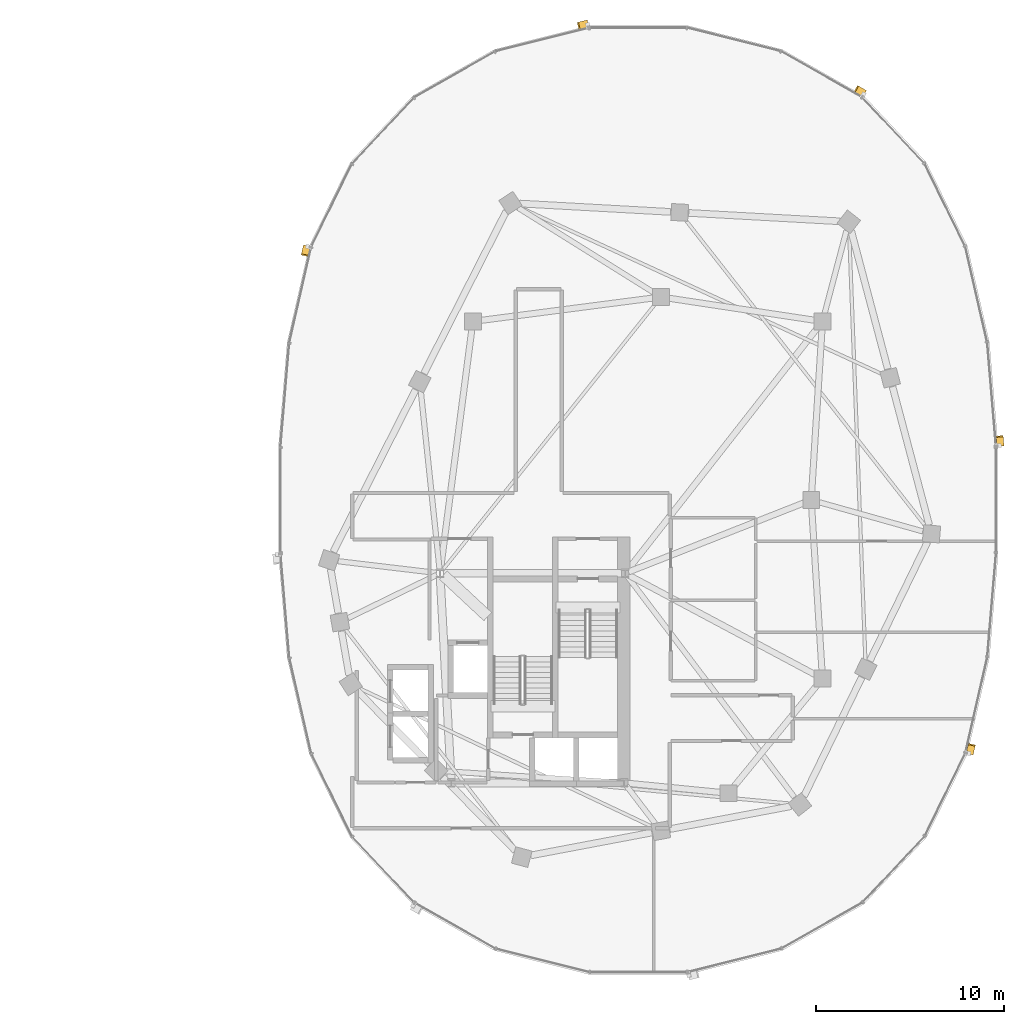
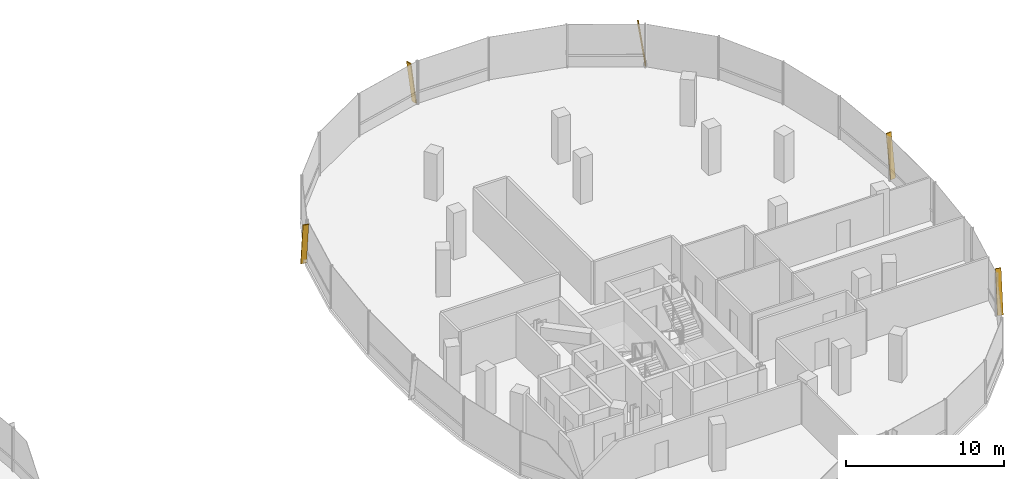
# One storey, part 25 of 25: 5 shading devices.
"""IFC4 building model written with IfcOpenShell, lengths in metres."""

import ifcopenshell
import ifcopenshell.guid

model = None  # the IFC model being written
_history = None  # IfcOwnerHistory: only IFC2X3 demands one
_inside = {}  # id of a spatial element -> (the spatial element, [elements in it])
_under = {}  # id of a project, library or spatial element -> (it, [spatial elements below it])
_declared = {}  # id of a project -> (the project, [libraries it declares])
_typed = {}  # id of a type object -> (the type object, [elements of that type])
_made_of = {}  # id of a material, layer set ... -> (it, [elements and type objects made of it])


def new_model(schema):
    """Start an empty IFC model of exactly this schema.

    Asked for "IFC4X3", IfcOpenShell would pick the latest addendum, in which some entities
    have other attributes; the version numbers below select the first issue.
    IFC2X3 requires an IfcOwnerHistory on every rooted entity: one is made here for all.
    """
    global model, _history
    if schema == "IFC4X3":
        model = ifcopenshell.file(schema_version=(4, 3, 0, 0))
    else:
        model = ifcopenshell.file(schema=schema)
    _inside.clear()
    _under.clear()
    _declared.clear()
    _typed.clear()
    _made_of.clear()
    _history = None
    if model.schema == "IFC2X3":
        org = make("IfcOrganization", Name="unknown")
        user = make(
            "IfcPersonAndOrganization",
            ThePerson=make("IfcPerson", FamilyName="unknown"),
            TheOrganization=org,
        )
        app = make(
            "IfcApplication",
            ApplicationDeveloper=org,
            Version="unknown",
            ApplicationFullName="unknown",
            ApplicationIdentifier="unknown",
        )
        _history = make(
            "IfcOwnerHistory",
            OwningUser=user,
            OwningApplication=app,
            ChangeAction="ADDED",
            CreationDate=0,
        )
    return model


def make(cls, **values):
    """One entity of the class cls with the attributes given. An attribute that is None is left unset."""
    return model.create_entity(
        cls, **{name: value for name, value in values.items() if value is not None}
    )


def rooted(cls, **values):
    """An entity with a GlobalId (a new one), such as an element, a storey or a relation."""
    return make(cls, GlobalId=ifcopenshell.guid.new(), OwnerHistory=_history, **values)


def si_unit(unit_type, name, prefix=None):
    """IfcSIUnit, for example si_unit("LENGTHUNIT", "METRE", prefix="MILLI")."""
    return make("IfcSIUnit", UnitType=unit_type, Prefix=prefix, Name=name)


def assignment(units):
    """IfcUnitAssignment: the units of a project."""
    return None if units is None else make("IfcUnitAssignment", Units=units)


def point(xyz):
    """IfcCartesianPoint."""
    return None if xyz is None else make("IfcCartesianPoint", Coordinates=xyz)


def direction(xyz):
    """IfcDirection."""
    return None if xyz is None else make("IfcDirection", DirectionRatios=xyz)


def frame(location, z_axis=None, x_axis=None):
    """IfcAxis2Placement3D, a coordinate frame: its origin and axes. An axis left out is left unset."""
    return make(
        "IfcAxis2Placement3D",
        Location=point(location),
        Axis=direction(z_axis),
        RefDirection=direction(x_axis),
    )


def frame_2d(location, x_axis=None):
    """IfcAxis2Placement2D, a coordinate frame in the plane: its origin and x axis."""
    return make(
        "IfcAxis2Placement2D", Location=point(location), RefDirection=direction(x_axis)
    )


def origin():
    """The frame at (0, 0, 0) with its axes left unset."""
    return frame((0.0, 0.0, 0.0))


def origin_2d():
    """The frame at (0, 0) in the plane with its x axis left unset."""
    return frame_2d((0.0, 0.0))


def place(relative_to, where):
    """IfcLocalPlacement: puts the frame where relative to a parent placement (None: the world)."""
    return make(
        "IfcLocalPlacement", PlacementRelTo=relative_to, RelativePlacement=where
    )


def context(
    kind, dimensions, precision=None, world=None, true_north=None, identifier=None
):
    """IfcGeometricRepresentationContext, for example the 3D "Model" context."""
    return make(
        "IfcGeometricRepresentationContext",
        ContextIdentifier=identifier,
        ContextType=kind,
        CoordinateSpaceDimension=dimensions,
        Precision=precision,
        WorldCoordinateSystem=world,
        TrueNorth=true_north,
    )


def subcontext(parent, identifier, kind, view, scale=None):
    """IfcGeometricRepresentationSubContext, for example "Body" below "Model"."""
    return make(
        "IfcGeometricRepresentationSubContext",
        ContextIdentifier=identifier,
        ContextType=kind,
        ParentContext=parent,
        TargetScale=scale,
        TargetView=view,
    )


def project(units=None, contexts=None):
    """IfcProject with its units and contexts."""
    return rooted(
        "IfcProject",
        Name="project",
        RepresentationContexts=contexts,
        UnitsInContext=assignment(units),
    )


def spatial(cls, under=None, at=None, **own):
    """A site, building, storey or space (cls), placed at a placement, below another one or the project."""
    s = rooted(cls, ObjectPlacement=at, **own)
    if under is not None:
        _under.setdefault(under.id(), (under, []))[1].append(s)
    return s


def profile(cls, at=None, kind="AREA", **sizes):
    """A parametric profile (cls). Its sizes go by their IFC names, for example OverallWidth=200.0."""
    return make(cls, ProfileType=kind, Position=at, **sizes)


def rectangle(**sizes):
    """IfcRectangleProfileDef."""
    return profile("IfcRectangleProfileDef", **sizes)


def extrude(swept, where, along, depth):
    """IfcExtrudedAreaSolid: the profile swept, set in the frame where, extruded along a direction by depth."""
    return make(
        "IfcExtrudedAreaSolid",
        SweptArea=swept,
        Position=where,
        ExtrudedDirection=direction(along),
        Depth=depth,
    )


def shape(context_of_items, identifier, shape_type, items):
    """IfcShapeRepresentation: the items that make up one representation, for example the "Body"."""
    return make(
        "IfcShapeRepresentation",
        ContextOfItems=context_of_items,
        RepresentationIdentifier=identifier,
        RepresentationType=shape_type,
        Items=items,
    )


def material(Name=None, Category=None):
    """IfcMaterial."""
    return make("IfcMaterial", Name=Name, Category=Category)


def material_profile(
    of_material, cross_section, Name=None, Category=None, Priority=None
):
    """IfcMaterialProfile: a cross section and its material."""
    return make(
        "IfcMaterialProfile",
        Name=Name,
        Material=of_material,
        Profile=cross_section,
        Priority=Priority,
        Category=Category,
    )


def profile_set(profiles, Name=None, composite=None):
    """IfcMaterialProfileSet."""
    return make(
        "IfcMaterialProfileSet",
        Name=Name,
        MaterialProfiles=profiles,
        CompositeProfile=composite,
    )


def made_of(thing, what):
    """Note that an element or type object is made of a material, layer set ...; save() writes the relation."""
    if what is not None:
        _made_of.setdefault(what.id(), (what, []))[1].append(thing)
    return thing


def type_object(cls, material=None, **own):
    """A type object (cls), such as IfcWallType, which elements share."""
    return made_of(rooted(cls, **own), material)


def element(
    cls,
    number,
    at=None,
    inside=None,
    cuts=None,
    type_object=None,
    material=None,
    context=None,
    identifier="Body",
    shape_type=None,
    held_by="IfcProductDefinitionShape",
    body=None,
    shapes=None,
    **own,
):
    """One element of the class cls, such as IfcWall. Its Tag is "e" and its number.

    at: its placement. inside: the storey or other place that contains it. cuts: it is an
    opening in that element (IfcRelVoidsElement). A single representation is given by context,
    identifier, shape_type and body (its items); several are given by shapes. held_by: the class
    of the entity that holds the representations. save() writes the other relations.
    """
    e = rooted(cls, Tag="e%d" % number, ObjectPlacement=at, **own)
    if body is not None:
        shapes = [shape(context, identifier, shape_type, body)]
    if shapes is not None:
        e.Representation = make(held_by, Representations=shapes)
    if inside is not None:
        _inside.setdefault(inside.id(), (inside, []))[1].append(e)
    if cuts is not None:
        rooted(
            "IfcRelVoidsElement", RelatingBuildingElement=cuts, RelatedOpeningElement=e
        )
    if type_object is not None:
        _typed.setdefault(type_object.id(), (type_object, []))[1].append(e)
    return made_of(e, material)


def aggregate(whole, parts):
    """IfcRelAggregates: a whole, such as a stair, and the parts it consists of."""
    return rooted("IfcRelAggregates", RelatingObject=whole, RelatedObjects=parts)


def save(model, path):
    """Write the relations noted so far, then the file.

    IfcRelAggregates (storeys below a building ...), IfcRelContainedInSpatialStructure (elements
    in a storey), IfcRelDefinesByType, IfcRelAssociatesMaterial and IfcRelDeclares: one each for
    every whole, place, type object, material and project.
    """
    for whole, parts in _under.values():
        aggregate(whole, parts)
    for where, things in _inside.values():
        rooted(
            "IfcRelContainedInSpatialStructure",
            RelatedElements=things,
            RelatingStructure=where,
        )
    for kind, things in _typed.values():
        rooted("IfcRelDefinesByType", RelatedObjects=things, RelatingType=kind)
    for what, things in _made_of.values():
        rooted("IfcRelAssociatesMaterial", RelatedObjects=things, RelatingMaterial=what)
    for by, libraries in _declared.values():
        rooted("IfcRelDeclares", RelatingContext=by, RelatedDefinitions=libraries)
    model.write(path)


model = new_model("IFC4")

# Units and contexts
model_context = context("Model", 3, precision=1e-05, world=origin(), true_north=direction((0.0, 1.0)))
body_context = subcontext(model_context, "Body", "Model", "MODEL_VIEW")
ifc_project = project(units=[si_unit("LENGTHUNIT", "METRE"), si_unit("AREAUNIT", "SQUARE_METRE"), si_unit("VOLUMEUNIT", "CUBIC_METRE"), si_unit("PLANEANGLEUNIT", "RADIAN"), si_unit("MASSUNIT", "GRAM", prefix="KILO"), si_unit("THERMODYNAMICTEMPERATUREUNIT", "KELVIN"), si_unit("POWERUNIT", "WATT")], contexts=[model_context])

# Site, building, storey
site_placement = place(None, origin())
site = spatial("IfcSite", under=ifc_project, at=site_placement, CompositionType="ELEMENT")
building_placement = place(site_placement, origin())
building = spatial("IfcBuilding", under=site, at=building_placement, Name="Cundina Bronze Exchange", CompositionType="ELEMENT")
storey_placement = place(building_placement, frame((0.0, 0.0, 191.800048828125)))
storey = spatial("IfcBuildingStorey", under=building, at=storey_placement, Name="L50", CompositionType="ELEMENT", Elevation=191.800048828125)

# Shading devices
ifc_material = material(Name="Anodised Bronze Aluminium 6063-T6", Category="aluminium")
ifc_material_profile = material_profile(ifc_material, rectangle(XDim=0.070068359375, YDim=0.3798828125, at=origin_2d()), Name="FIN70X380", Category="aluminium")
ifc_profile_set = profile_set([ifc_material_profile], Name="Anodised Bronze Aluminium 6063-T6")
shading_device_type = type_object("IfcShadingDeviceType", Name="SHD-FIN-BRZ380", PredefinedType="USERDEFINED", material=ifc_profile_set)
for number, where, z_axis, x_axis, name in (
    (1, (51.264404296875, 2.90283203125, 0.02001953125), (-0.012006555776, 0.143419772964, 0.98958911238), (0.082555834947, -0.986139516224, 0.143921466983), "L50 Diagonal Bronze Solar Fin 1"),
    (2, (44.015625, 21.635498046875, 0.02001953125), (-0.125189514072, 0.071087145125, 0.989582843103), (0.860526986551, -0.488638423358, 0.143964567292), "L50 Diagonal Bronze Solar Fin 5"),
    (3, (29.294189453125, 25.344482421875, 0.02001953125), (-0.139611891367, -0.03514090606, 0.989582556693), (0.959650042543, 0.24154799183, 0.143966536007), "L50 Diagonal Bronze Solar Fin 1"),
    (4, (14.363037109375, 13.4931640625, 0.02001953125), (-0.032139238682, -0.140343782583, 0.989581068951), (0.220899412839, 0.964610875656, 0.14397676192), "L50 Diagonal Bronze Solar Fin 5"),
    (5, (49.636962890625, -13.4931640625, 0.02001953125), (0.032139238682, 0.140343782583, 0.989581068951), (-0.220899412839, -0.964610875656, 0.14397676192), "L50 Diagonal Bronze Solar Fin 5"),
):
    element("IfcShadingDevice", number, at=place(storey_placement, frame(where, z_axis=z_axis, x_axis=x_axis)), inside=storey, type_object=shading_device_type, Name=name, ObjectType="FIN", PredefinedType="USERDEFINED", context=body_context, shape_type="SweptSolid", body=[
        extrude(rectangle(XDim=0.070068359375, YDim=0.3798828125, at=origin_2d()), origin(), (0.0, 0.0, 1.0), 3.334716796875),
    ])

save(model, "model.ifc")
